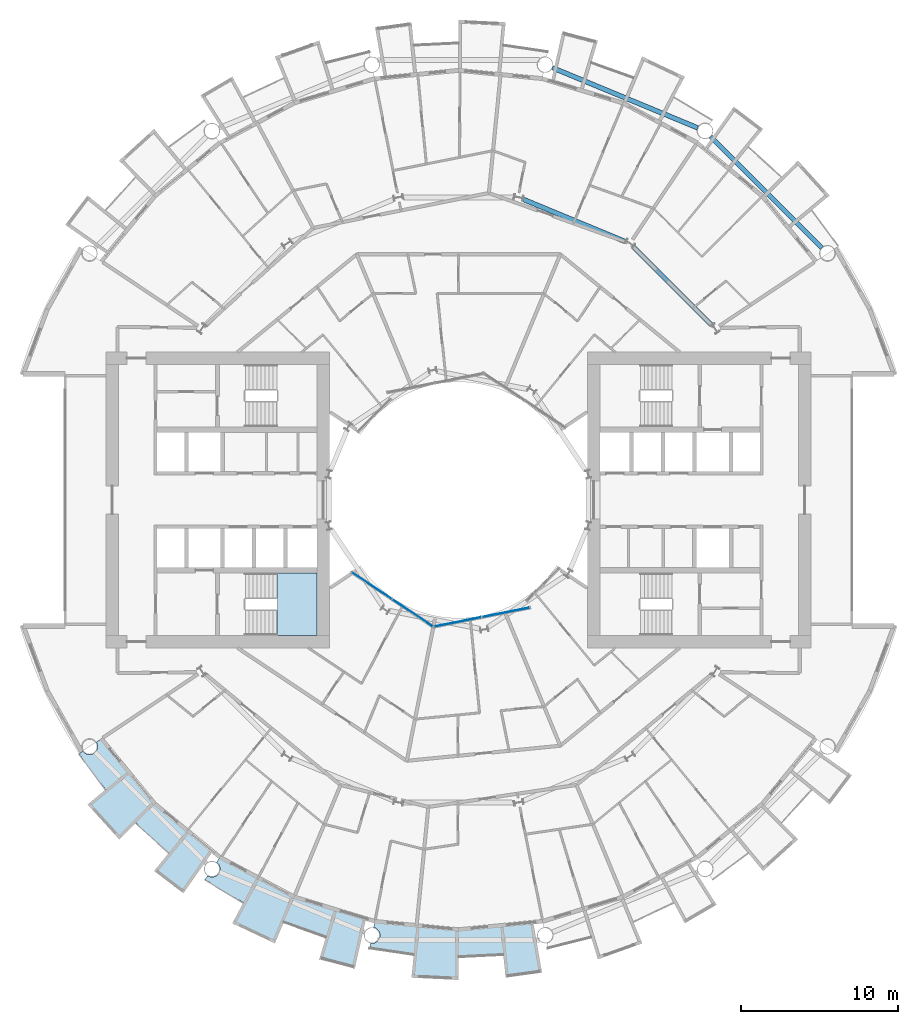
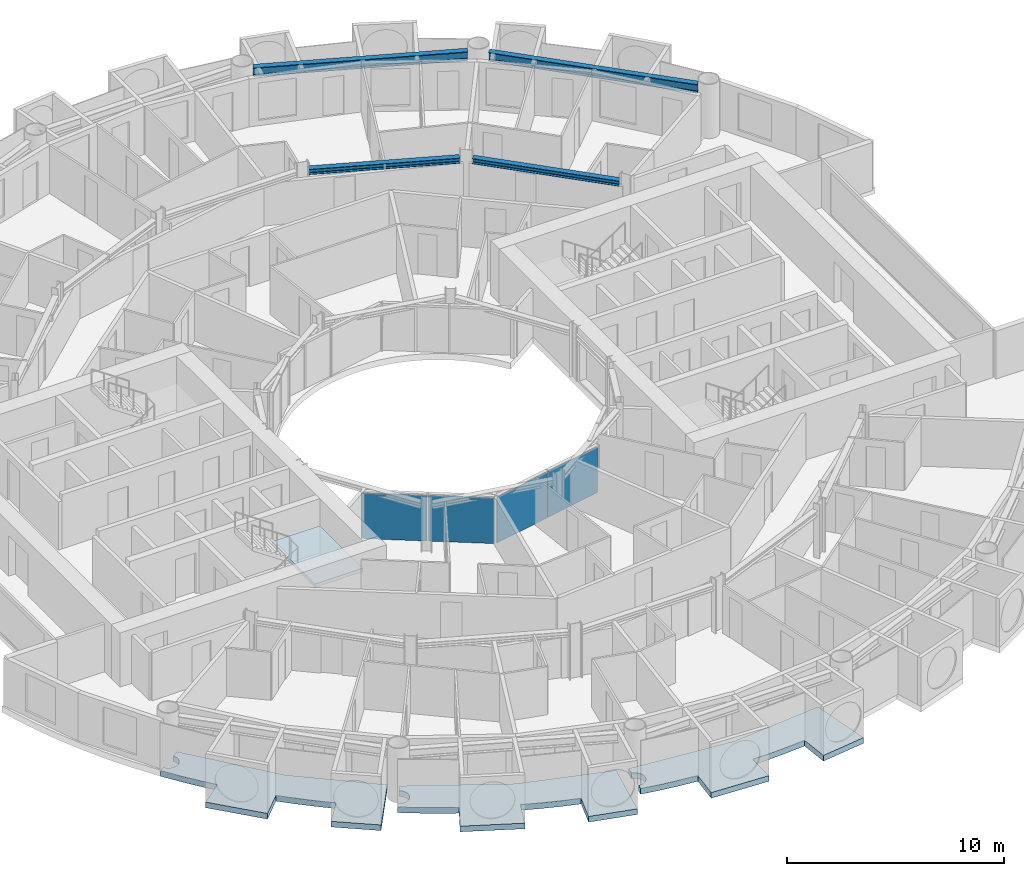
# One storey, part 9 of 26: 4 beams, 4 plates, 4 slabs, 3 elements without a shape of their own.
"""IFC4 building model written with IfcOpenShell, lengths in metres."""

from ifc_helpers import new_model, si_unit, direction, frame, origin, origin_2d, place, context, subcontext, project, spatial, polyline, rectangle, i_section, outline, extrude, material, layer, layer_set, material_profile, profile_set, type_object, element, aggregate, save


model = new_model("IFC4")

# Units and contexts
model_context = context("Model", 3, precision=1e-05, world=origin(), true_north=direction((0.0, 1.0)))
body_context = subcontext(model_context, "Body", "Model", "MODEL_VIEW")
ifc_project = project(units=[si_unit("LENGTHUNIT", "METRE"), si_unit("AREAUNIT", "SQUARE_METRE"), si_unit("VOLUMEUNIT", "CUBIC_METRE"), si_unit("PLANEANGLEUNIT", "RADIAN"), si_unit("MASSUNIT", "GRAM", prefix="KILO")], contexts=[model_context])

# Site, building, storey
site_placement = place(None, origin())
site = spatial("IfcSite", under=ifc_project, at=site_placement, CompositionType="ELEMENT")
building_placement = place(site_placement, origin())
building = spatial("IfcBuilding", under=site, at=building_placement, Name="Maasbend Ring Residences", CompositionType="ELEMENT")
storey_placement = place(building_placement, frame((0.0, 0.0, 35.0)))
storey = spatial("IfcBuildingStorey", under=building, at=storey_placement, Name="L09", CompositionType="ELEMENT", Elevation=35.0)

# Beams
ifc_material_1 = material(Name="Steel S355J2", Category="steel")
ifc_material_profile_1 = material_profile(ifc_material_1, i_section(OverallWidth=0.300048828125, OverallDepth=0.300048828125, WebThickness=0.010986328125, FlangeThickness=0.01904296875, FilletRadius=0.027099609375, at=origin_2d()), Name="HEB 300")
ifc_profile_set_1 = profile_set([ifc_material_profile_1], Name="Steel S355J2")
beam_type_1 = type_object("IfcBeamType", Name="Corridor ring beam HEB 300", PredefinedType="BEAM", material=ifc_profile_set_1)
beam_1_placement = place(storey_placement, frame((16.0732421875, 11.11279296875, 2.550048828125), z_axis=(-0.707106781187, 0.707106781187, 0.0), x_axis=(-0.707106781187, -0.707106781187, 0.0)))
element("IfcBeam", 1, at=beam_1_placement, inside=storey, type_object=beam_type_1, Name="Corridor ring beam", PredefinedType="BEAM", context=body_context, shape_type="SweptSolid", body=[
    extrude(i_section(OverallWidth=0.300048828125, OverallDepth=0.300048828125, WebThickness=0.010986328125, FlangeThickness=0.01904296875, FilletRadius=0.027099609375, at=origin_2d()), origin(), (0.0, 0.0, 1.0), 7.01513671875),
])
beam_2_placement = place(storey_placement, frame((10.59716796875, 16.417724609375, 2.550048828125), z_axis=(-0.923886196809, 0.38266734293, 0.0), x_axis=(-0.38266734293, -0.923886196809, 0.0)))
element("IfcBeam", 2, at=beam_2_placement, inside=storey, type_object=beam_type_1, Name="Corridor ring beam", PredefinedType="BEAM", context=body_context, shape_type="SweptSolid", body=[
    extrude(i_section(OverallWidth=0.300048828125, OverallDepth=0.300048828125, WebThickness=0.010986328125, FlangeThickness=0.01904296875, FilletRadius=0.027099609375, at=origin_2d()), origin(), (0.0, 0.0, 1.0), 7.015380859375),
])
ifc_material_2 = material(Name="Steel S355J2", Category="steel")
ifc_material_profile_2 = material_profile(ifc_material_2, i_section(OverallWidth=0.300048828125, OverallDepth=0.5, WebThickness=0.014404296875, FlangeThickness=0.028076171875, FilletRadius=0.027099609375, at=origin_2d()), Name="HEB 500")
ifc_profile_set_2 = profile_set([ifc_material_profile_2], Name="Steel S355J2")
beam_type_2 = type_object("IfcBeamType", Name="Spandrel ring beam HEB 500", PredefinedType="SPANDREL", material=ifc_profile_set_2)
beam_3_placement = place(storey_placement, frame((23.088134765625, 16.0263671875, 2.449951171875), z_axis=(-0.707106781187, 0.707106781187, 0.0), x_axis=(-0.707106781187, -0.707106781187, 0.0)))
element("IfcBeam", 3, at=beam_3_placement, inside=storey, type_object=beam_type_2, Name="Spandrel ring beam", PredefinedType="SPANDREL", context=body_context, shape_type="SweptSolid", body=[
    extrude(i_section(OverallWidth=0.300048828125, OverallDepth=0.5, WebThickness=0.014404296875, FlangeThickness=0.028076171875, FilletRadius=0.027099609375, at=origin_2d()), origin(), (0.0, 0.0, 1.0), 9.98681640625),
])
beam_4_placement = place(storey_placement, frame((15.19775390625, 23.641845703125, 2.449951171875), z_axis=(-0.923886337442, 0.382667003395, 0.0), x_axis=(-0.382667003395, -0.923886337442, 0.0)))
element("IfcBeam", 4, at=beam_4_placement, inside=storey, type_object=beam_type_2, Name="Spandrel ring beam", PredefinedType="SPANDREL", context=body_context, shape_type="SweptSolid", body=[
    extrude(i_section(OverallWidth=0.300048828125, OverallDepth=0.5, WebThickness=0.014404296875, FlangeThickness=0.028076171875, FilletRadius=0.027099609375, at=origin_2d()), origin(), (0.0, 0.0, 1.0), 9.9873046875),
])

# Stair, slab
ifc_material_3 = material(Name="Concrete C40/50", Category="concrete")
stair_type = type_object("IfcStairType", Name="CORE STAIR 18 RISERS", PredefinedType="HALF_TURN_STAIR", material=ifc_material_3)
stair_placement = place(storey_placement, origin())
stair = element("IfcStair", 5, at=stair_placement, inside=storey, type_object=stair_type, Name="L09 Exit stair ST-W1", PredefinedType="HALF_TURN_STAIR")
ifc_material_4 = material(Name="Concrete C40/50", Category="concrete")
ifc_layer_1 = layer(ifc_material_4, 0.199951171875)
ifc_layer_set_1 = layer_set([ifc_layer_1], Name="Concrete C40/50")
slab_type_1 = type_object("IfcSlabType", Name="CORE STAIR LANDING 200", PredefinedType="LANDING", material=ifc_layer_set_1)
slab_1_placement = place(storey_placement, frame((0.0, 0.0, 1.324951171875)))
slab_1 = element("IfcSlab", 6, at=slab_1_placement, type_object=slab_type_1, Name="ST-W1 landing 1", PredefinedType="LANDING", context=body_context, shape_type="SweptSolid", body=[
    extrude(outline(polyline([(-11.550048828125, -8.60009765625), (-9.0, -8.60009765625), (-9.0, -4.64990234375), (-11.550048828125, -4.64990234375), (-11.550048828125, -8.60009765625)])), origin(), (0.0, 0.0, 1.0), 0.199951171875),
])
aggregate(stair, [slab_1])

# Curtain wall, plates
ifc_material_5 = material(Name="Aluminium and clear glass", Category="aluminium")
ifc_layer_2 = layer(ifc_material_5, 0.179931640625)
ifc_layer_set_2 = layer_set([ifc_layer_2], Name="CW-W")
curtain_wall_type = type_object("IfcCurtainWallType", Name="CW-W", PredefinedType="NOTDEFINED", material=ifc_layer_set_2)
curtain_wall_1_placement = place(storey_placement, origin())
curtain_wall_1 = element("IfcCurtainWall", 7, at=curtain_wall_1_placement, inside=storey, type_object=curtain_wall_type, Name="Well curtain wall S1", PredefinedType="NOTDEFINED")
ifc_material_6 = material(Name="Glass clear laminated", Category="glass")
ifc_layer_3 = layer(ifc_material_6, 0.031982421875)
ifc_layer_set_3 = layer_set([ifc_layer_3], Name="CWP-W")
plate_type = type_object("IfcPlateType", Name="CWP-W", PredefinedType="CURTAIN_PANEL", material=ifc_layer_set_3)
plate_1_placement = place(storey_placement, frame((-5.51123046875, -5.44580078125, 0.0), z_axis=(0.0, 0.0, 1.0), x_axis=(0.831469612303, -0.55557023302, 0.0)))
plate_1 = element("IfcPlate", 8, at=plate_1_placement, type_object=plate_type, Name="Glass panel well face", PredefinedType="CURTAIN_PANEL", context=body_context, shape_type="SweptSolid", body=[
    extrude(rectangle(XDim=3.053955078125, YDim=0.031982421875, at=origin_2d()), origin(), (0.0, 0.0, 1.0), 2.580078125),
])
plate_2_placement = place(storey_placement, frame((-2.922119140625, -7.17578125, 0.0), z_axis=(0.0, 0.0, 1.0), x_axis=(0.831469612303, -0.55557023302, 0.0)))
plate_2 = element("IfcPlate", 9, at=plate_2_placement, type_object=plate_type, Name="Glass panel well face", PredefinedType="CURTAIN_PANEL", context=body_context, shape_type="SweptSolid", body=[
    extrude(rectangle(XDim=3.053955078125, YDim=0.031982421875, at=origin_2d()), origin(), (0.0, 0.0, 1.0), 2.580078125),
])
aggregate(curtain_wall_1, [plate_1, plate_2])

curtain_wall_2_placement = place(storey_placement, origin())
curtain_wall_2 = element("IfcCurtainWall", 10, at=curtain_wall_2_placement, inside=storey, type_object=curtain_wall_type, Name="Well curtain wall S2", PredefinedType="NOTDEFINED")
plate_3_placement = place(storey_placement, frame((-0.04638671875, -7.747802734375, 0.0), z_axis=(0.0, 0.0, 1.0), x_axis=(0.980785280403, 0.195090322016, 0.0)))
plate_3 = element("IfcPlate", 11, at=plate_3_placement, type_object=plate_type, Name="Glass panel well face", PredefinedType="CURTAIN_PANEL", context=body_context, shape_type="SweptSolid", body=[
    extrude(rectangle(XDim=3.053955078125, YDim=0.031982421875, at=origin_2d()), origin(), (0.0, 0.0, 1.0), 2.580078125),
])
plate_4_placement = place(storey_placement, frame((3.0078125, -7.140380859375, 0.0), z_axis=(0.0, 0.0, 1.0), x_axis=(0.980785280403, 0.195090322016, 0.0)))
plate_4 = element("IfcPlate", 12, at=plate_4_placement, type_object=plate_type, Name="Glass panel well face", PredefinedType="CURTAIN_PANEL", context=body_context, shape_type="SweptSolid", body=[
    extrude(rectangle(XDim=3.053955078125, YDim=0.031982421875, at=origin_2d()), origin(), (0.0, 0.0, 1.0), 2.580078125),
])
aggregate(curtain_wall_2, [plate_3, plate_4])

# Slabs
ifc_material_7 = material(Name="Concrete C40/50", Category="concrete")
ifc_layer_4 = layer(ifc_material_7, 0.199951171875)
ifc_layer_set_4 = layer_set([ifc_layer_4], Name="Concrete C40/50")
slab_type_2 = type_object("IfcSlabType", Name="SL-LOGGIA", PredefinedType="FLOOR", material=ifc_layer_set_4)
slab_2_placement = place(storey_placement, frame((0.0, 0.0, -0.35009765625)))
element("IfcSlab", 13, at=slab_2_placement, inside=storey, type_object=slab_type_2, Name="Loggia floor 1", PredefinedType="FLOOR", context=body_context, shape_type="SweptSolid", body=[
    extrude(outline(polyline([(-15.9169921875, -23.888916015625), (-15.906982421875, -23.89501953125), (-15.89599609375, -23.90087890625), (-15.884033203125, -23.906982421875), (-15.873046875, -23.912109375), (-15.862060546875, -23.9169921875), (-15.85009765625, -23.9208984375), (-15.837890625, -23.926025390625), (-15.825927734375, -23.929931640625), (-15.81494140625, -23.93408203125), (-15.802978515625, -23.93701171875), (-15.791015625, -23.93994140625), (-15.778076171875, -23.943115234375), (-15.76611328125, -23.946044921875), (-15.75390625, -23.947998046875), (-15.741943359375, -23.949951171875), (-15.72900390625, -23.951904296875), (-15.717041015625, -23.952880859375), (-15.7041015625, -23.9541015625), (-15.69189453125, -23.955078125), (-15.679931640625, -23.955078125), (-15.6669921875, -23.955078125), (-15.655029296875, -23.955078125), (-15.64208984375, -23.955078125), (-15.6298828125, -23.9541015625), (-15.616943359375, -23.952880859375), (-15.60498046875, -23.951904296875), (-15.593017578125, -23.949951171875), (-15.580078125, -23.947998046875), (-15.568115234375, -23.946044921875), (-15.555908203125, -23.943115234375), (-15.5439453125, -23.93994140625), (-15.531982421875, -23.93701171875), (-15.52001953125, -23.93408203125), (-15.508056640625, -23.929931640625), (-15.49609375, -23.926025390625), (-15.48388671875, -23.9208984375), (-15.472900390625, -23.9169921875), (-15.4609375, -23.912109375), (-15.449951171875, -23.906982421875), (-15.43896484375, -23.90087890625), (-15.427978515625, -23.89501953125), (-15.4169921875, -23.888916015625), (-15.406005859375, -23.883056640625), (-15.39501953125, -23.876953125), (-15.385009765625, -23.8701171875), (-15.375, -23.863037109375), (-15.364013671875, -23.85498046875), (-15.35498046875, -23.847900390625), (-15.344970703125, -23.840087890625), (-15.3349609375, -23.83203125), (-15.325927734375, -23.823974609375), (-15.31689453125, -23.81494140625), (-15.30810546875, -23.806884765625), (-15.299072265625, -23.798095703125), (-15.291015625, -23.7890625), (-15.281982421875, -23.779052734375), (-15.27392578125, -23.77001953125), (-15.26708984375, -23.760009765625), (-15.259033203125, -23.75), (-15.251953125, -23.739990234375), (-15.2451171875, -23.72998046875), (-15.238037109375, -23.718994140625), (-15.23095703125, -23.708984375), (-15.22509765625, -23.697998046875), (-15.218994140625, -23.68701171875), (-15.212890625, -23.676025390625), (-15.2080078125, -23.6650390625), (-15.202880859375, -23.653076171875), (-15.197998046875, -23.64208984375), (-15.193115234375, -23.6298828125), (-15.18896484375, -23.618896484375), (-15.18505859375, -23.60693359375), (-15.180908203125, -23.594970703125), (-15.177978515625, -23.5830078125), (-15.174072265625, -23.571044921875), (-15.1708984375, -23.55908203125), (-15.1689453125, -23.547119140625), (-15.1669921875, -23.533935546875), (-15.1650390625, -23.52197265625), (-15.1630859375, -23.510009765625), (-15.162109375, -23.4970703125), (-15.159912109375, -23.485107421875), (-15.159912109375, -23.471923828125), (-15.158935546875, -23.4599609375), (-15.158935546875, -23.447021484375), (-15.158935546875, -23.43505859375), (-15.159912109375, -23.422119140625), (-15.159912109375, -23.409912109375), (-15.162109375, -23.39794921875), (-15.1630859375, -23.385009765625), (-15.1650390625, -23.373046875), (-15.1669921875, -23.361083984375), (-15.1689453125, -23.347900390625), (-15.1708984375, -23.3359375), (-15.174072265625, -23.323974609375), (-15.177978515625, -23.31201171875), (-15.180908203125, -23.300048828125), (-15.18505859375, -23.2880859375), (-15.18896484375, -23.27587890625), (-15.193115234375, -23.264892578125), (-15.197998046875, -23.2529296875), (-15.202880859375, -23.241943359375), (-15.2080078125, -23.22998046875), (-15.212890625, -23.218994140625), (-15.218994140625, -23.2080078125), (-15.22509765625, -23.197021484375), (-15.23095703125, -23.18603515625), (-15.238037109375, -23.176025390625), (-15.2451171875, -23.1650390625), (-15.251953125, -23.155029296875), (-15.259033203125, -23.14501953125), (-15.26708984375, -23.135009765625), (-15.27392578125, -23.125), (-15.281982421875, -23.115966796875), (-15.291015625, -23.10595703125), (-15.299072265625, -23.096923828125), (-15.30810546875, -23.087890625), (-15.31689453125, -23.0791015625), (-15.325927734375, -23.071044921875), (-15.3349609375, -23.06298828125), (-15.344970703125, -23.054931640625), (-15.35498046875, -23.047119140625), (-15.364013671875, -23.0390625), (-15.375, -23.031982421875), (-15.385009765625, -23.02490234375), (-15.1669921875, -22.698974609375), (-15.1669921875, -22.698974609375), (-15.1669921875, -22.698974609375), (-12.806884765625, -23.9609375), (-10.447021484375, -25.221923828125), (-10.447021484375, -25.221923828125), (-10.447021484375, -25.221923828125), (-7.886962890625, -25.9990234375), (-5.89111328125, -26.60400390625), (-5.89111328125, -26.60400390625), (-5.89111328125, -26.60400390625), (-6.593994140625, -29.779052734375), (-6.593994140625, -29.779052734375), (-6.593994140625, -29.779052734375), (-8.85400390625, -29.18701171875), (-8.85400390625, -29.18701171875), (-8.85400390625, -29.18701171875), (-8.41796875, -27.751953125), (-8.41796875, -27.751953125), (-8.41796875, -27.751953125), (-8.41796875, -27.751953125), (-8.41796875, -27.751953125), (-8.41796875, -27.751953125), (-8.41796875, -27.7509765625), (-8.41796875, -27.7509765625), (-8.41796875, -27.7509765625), (-8.41796875, -27.7509765625), (-8.41796875, -27.7509765625), (-8.4189453125, -27.7509765625), (-8.4189453125, -27.7509765625), (-8.4189453125, -27.7509765625), (-8.4189453125, -27.7509765625), (-8.4189453125, -27.7509765625), (-8.4189453125, -27.7509765625), (-9.322021484375, -27.4609375), (-9.322021484375, -27.4609375), (-10.215087890625, -27.14111328125), (-10.215087890625, -27.14111328125), (-11.096923828125, -26.79296875), (-11.096923828125, -26.79296875), (-11.096923828125, -26.79296875), (-11.097900390625, -26.79296875), (-11.097900390625, -26.79296875), (-11.097900390625, -26.79296875), (-11.097900390625, -26.79296875), (-11.097900390625, -26.79296875), (-11.097900390625, -26.79296875), (-11.097900390625, -26.79296875), (-11.097900390625, -26.79296875), (-11.097900390625, -26.79296875), (-11.097900390625, -26.79296875), (-11.097900390625, -26.79296875), (-11.097900390625, -26.79296875), (-11.097900390625, -26.79296875), (-11.097900390625, -26.79296875), (-11.672119140625, -28.177978515625), (-11.672119140625, -28.177978515625), (-11.672119140625, -28.177978515625), (-14.3779296875, -26.89892578125), (-14.3779296875, -26.89892578125), (-14.3779296875, -26.89892578125), (-13.6708984375, -25.575927734375), (-13.6708984375, -25.575927734375), (-13.6708984375, -25.575927734375), (-13.6708984375, -25.575927734375), (-13.6708984375, -25.575927734375), (-13.6708984375, -25.575927734375), (-13.6708984375, -25.575927734375), (-13.6708984375, -25.575927734375), (-13.6708984375, -25.575927734375), (-13.6708984375, -25.575927734375), (-13.6708984375, -25.575927734375), (-13.6708984375, -25.575927734375), (-13.6708984375, -25.575927734375), (-13.6708984375, -25.575927734375), (-13.6708984375, -25.575927734375), (-13.6708984375, -25.575927734375), (-13.6708984375, -25.574951171875), (-14.5, -25.114990234375), (-14.5, -25.114990234375), (-15.31396484375, -24.626953125), (-15.31396484375, -24.626953125), (-16.112060546875, -24.113037109375), (-16.112060546875, -24.113037109375), (-16.112060546875, -24.113037109375), (-15.948974609375, -23.8701171875), (-15.93896484375, -23.876953125), (-15.927978515625, -23.883056640625), (-15.9169921875, -23.888916015625)])), origin(), (0.0, 0.0, 1.0), 0.320068359375),
])
slab_3_placement = place(storey_placement, frame((0.0, 0.0, -0.35009765625)))
element("IfcSlab", 14, at=slab_3_placement, inside=storey, type_object=slab_type_2, Name="Loggia floor 3", PredefinedType="FLOOR", context=body_context, shape_type="SweptSolid", body=[
    extrude(outline(polyline([(-2.6630859375, -27.0380859375), (0.0, -27.300048828125), (0.0, -27.300048828125), (0.0, -27.300048828125), (2.6630859375, -27.0380859375), (4.739013671875, -26.8330078125), (4.739013671875, -26.8330078125), (4.739013671875, -26.8330078125), (5.303955078125, -30.034912109375), (5.303955078125, -30.034912109375), (5.303955078125, -30.034912109375), (2.989990234375, -30.35302734375), (2.989990234375, -30.35302734375), (2.989990234375, -30.35302734375), (2.843017578125, -28.861083984375), (2.843017578125, -28.861083984375), (2.843017578125, -28.861083984375), (2.843017578125, -28.861083984375), (2.842041015625, -28.861083984375), (2.842041015625, -28.861083984375), (2.842041015625, -28.861083984375), (2.842041015625, -28.861083984375), (2.842041015625, -28.861083984375), (2.842041015625, -28.860107421875), (2.842041015625, -28.860107421875), (2.842041015625, -28.860107421875), (2.842041015625, -28.860107421875), (2.842041015625, -28.860107421875), (2.842041015625, -28.860107421875), (2.842041015625, -28.860107421875), (2.842041015625, -28.860107421875), (1.89697265625, -28.93798828125), (1.89697265625, -28.93798828125), (0.948974609375, -28.98388671875), (0.948974609375, -28.98388671875), (0.0, -29.0), (0.0, -29.0), (0.0, -29.0), (0.0, -29.0), (0.0, -29.0), (0.0, -29.0), (0.0, -29.0), (0.0, -29.0), (0.0, -29.0), (0.0, -29.0), (0.0, -29.0), (0.0, -29.0), (0.0, -29.0), (0.0, -29.0), (0.0, -29.0), (0.0, -29.0), (0.0, -29.0), (0.0, -30.5), (0.0, -30.5), (0.0, -30.5), (-2.989990234375, -30.35302734375), (-2.989990234375, -30.35302734375), (-2.989990234375, -30.35302734375), (-2.843017578125, -28.861083984375), (-2.843017578125, -28.861083984375), (-2.843017578125, -28.861083984375), (-2.843017578125, -28.861083984375), (-2.843017578125, -28.861083984375), (-2.843017578125, -28.861083984375), (-2.843017578125, -28.861083984375), (-2.843017578125, -28.861083984375), (-2.843017578125, -28.860107421875), (-2.843017578125, -28.860107421875), (-2.843017578125, -28.860107421875), (-2.843017578125, -28.860107421875), (-2.843017578125, -28.860107421875), (-2.843017578125, -28.860107421875), (-2.843017578125, -28.860107421875), (-2.843017578125, -28.860107421875), (-2.843017578125, -28.860107421875), (-3.784912109375, -28.751953125), (-3.784912109375, -28.751953125), (-4.72412109375, -28.613037109375), (-4.72412109375, -28.613037109375), (-5.657958984375, -28.443115234375), (-5.657958984375, -28.443115234375), (-5.657958984375, -28.443115234375), (-5.60107421875, -28.156005859375), (-5.60107421875, -28.156005859375), (-5.587890625, -28.158935546875), (-5.575927734375, -28.160888671875), (-5.56396484375, -28.162109375), (-5.551025390625, -28.1640625), (-5.5390625, -28.1650390625), (-5.52587890625, -28.1650390625), (-5.513916015625, -28.166015625), (-5.501953125, -28.166015625), (-5.489013671875, -28.166015625), (-5.47705078125, -28.1650390625), (-5.464111328125, -28.1650390625), (-5.451904296875, -28.1640625), (-5.43896484375, -28.162109375), (-5.427001953125, -28.160888671875), (-5.4150390625, -28.158935546875), (-5.402099609375, -28.156005859375), (-5.389892578125, -28.154052734375), (-5.3779296875, -28.15087890625), (-5.365966796875, -28.14794921875), (-5.35400390625, -28.14404296875), (-5.342041015625, -28.139892578125), (-5.330078125, -28.135986328125), (-5.319091796875, -28.132080078125), (-5.306884765625, -28.126953125), (-5.2958984375, -28.123046875), (-5.283935546875, -28.116943359375), (-5.27294921875, -28.112060546875), (-5.261962890625, -28.10595703125), (-5.2509765625, -28.10009765625), (-5.239990234375, -28.093994140625), (-5.22998046875, -28.0869140625), (-5.218994140625, -28.080078125), (-5.208984375, -28.072998046875), (-5.198974609375, -28.06591796875), (-5.18896484375, -28.05908203125), (-5.178955078125, -28.051025390625), (-5.169921875, -28.04296875), (-5.159912109375, -28.034912109375), (-5.15087890625, -28.02587890625), (-5.14208984375, -28.01708984375), (-5.134033203125, -28.008056640625), (-5.125, -27.9990234375), (-5.116943359375, -27.989990234375), (-5.10888671875, -27.97998046875), (-5.10107421875, -27.970947265625), (-5.093017578125, -27.9609375), (-5.0859375, -27.950927734375), (-5.0791015625, -27.93994140625), (-5.072021484375, -27.929931640625), (-5.06591796875, -27.9189453125), (-5.05908203125, -27.907958984375), (-5.052978515625, -27.89794921875), (-5.048095703125, -27.886962890625), (-5.0419921875, -27.875), (-5.037109375, -27.864013671875), (-5.031982421875, -27.85302734375), (-5.028076171875, -27.841064453125), (-5.02294921875, -27.8291015625), (-5.01904296875, -27.81689453125), (-5.014892578125, -27.805908203125), (-5.011962890625, -27.7939453125), (-5.009033203125, -27.781982421875), (-5.006103515625, -27.76904296875), (-5.0029296875, -27.757080078125), (-5.0009765625, -27.7451171875), (-4.9990234375, -27.73291015625), (-4.9970703125, -27.719970703125), (-4.99609375, -27.7080078125), (-4.9951171875, -27.695068359375), (-4.993896484375, -27.68310546875), (-4.993896484375, -27.6708984375), (-4.993896484375, -27.657958984375), (-4.993896484375, -27.64599609375), (-4.993896484375, -27.633056640625), (-4.9951171875, -27.62109375), (-4.99609375, -27.60791015625), (-4.9970703125, -27.595947265625), (-4.9990234375, -27.583984375), (-5.0009765625, -27.571044921875), (-5.0029296875, -27.55908203125), (-5.006103515625, -27.547119140625), (-5.009033203125, -27.534912109375), (-5.011962890625, -27.52294921875), (-5.014892578125, -27.510986328125), (-5.01904296875, -27.4990234375), (-5.02294921875, -27.487060546875), (-5.028076171875, -27.47509765625), (-5.031982421875, -27.464111328125), (-5.037109375, -27.451904296875), (-5.0419921875, -27.44091796875), (-5.048095703125, -27.429931640625), (-5.052978515625, -27.4189453125), (-5.05908203125, -27.407958984375), (-5.06591796875, -27.39697265625), (-5.072021484375, -27.385986328125), (-5.0791015625, -27.3759765625), (-5.0859375, -27.365966796875), (-5.093017578125, -27.35498046875), (-5.10107421875, -27.345947265625), (-5.10888671875, -27.3359375), (-5.116943359375, -27.325927734375), (-5.125, -27.31689453125), (-5.134033203125, -27.30810546875), (-5.14208984375, -27.299072265625), (-5.15087890625, -27.2900390625), (-5.159912109375, -27.281982421875), (-5.169921875, -27.27294921875), (-5.178955078125, -27.264892578125), (-5.18896484375, -27.258056640625), (-5.198974609375, -27.25), (-5.208984375, -27.242919921875), (-5.218994140625, -27.236083984375), (-5.22998046875, -27.22900390625), (-5.239990234375, -27.221923828125), (-5.2509765625, -27.216064453125), (-5.261962890625, -27.2099609375), (-5.27294921875, -27.2041015625), (-5.283935546875, -27.198974609375), (-5.2958984375, -27.194091796875), (-5.306884765625, -27.18896484375), (-5.319091796875, -27.18408203125), (-5.330078125, -27.179931640625), (-5.342041015625, -27.176025390625), (-5.35400390625, -27.172119140625), (-5.365966796875, -27.1689453125), (-5.3779296875, -27.1650390625), (-5.389892578125, -27.162109375), (-5.402099609375, -27.159912109375), (-5.402099609375, -27.159912109375), (-5.325927734375, -26.77490234375), (-5.325927734375, -26.77490234375), (-5.325927734375, -26.77490234375), (-2.6630859375, -27.0380859375)])), origin(), (0.0, 0.0, 1.0), 0.320068359375),
])
slab_4_placement = place(storey_placement, frame((0.0, 0.0, -0.35009765625)))
element("IfcSlab", 15, at=slab_4_placement, inside=storey, type_object=slab_type_2, Name="Loggia floor 4", PredefinedType="FLOOR", context=body_context, shape_type="SweptSolid", body=[
    extrude(outline(polyline([(-23.85498046875, -15.969970703125), (-23.847900390625, -15.97998046875), (-23.840087890625, -15.989013671875), (-23.83203125, -15.9990234375), (-23.823974609375, -16.008056640625), (-23.81494140625, -16.01708984375), (-23.806884765625, -16.02587890625), (-23.798095703125, -16.034912109375), (-23.7890625, -16.0439453125), (-23.779052734375, -16.052001953125), (-23.77001953125, -16.06005859375), (-23.760009765625, -16.068115234375), (-23.75, -16.074951171875), (-23.739990234375, -16.08203125), (-23.72998046875, -16.089111328125), (-23.718994140625, -16.095947265625), (-23.708984375, -16.10302734375), (-23.697998046875, -16.10888671875), (-23.68701171875, -16.114990234375), (-23.676025390625, -16.12109375), (-23.6650390625, -16.1259765625), (-23.653076171875, -16.132080078125), (-23.64208984375, -16.135986328125), (-23.6298828125, -16.14111328125), (-23.618896484375, -16.14501953125), (-23.60693359375, -16.14892578125), (-23.594970703125, -16.153076171875), (-23.5830078125, -16.156982421875), (-23.571044921875, -16.159912109375), (-23.55908203125, -16.1630859375), (-23.547119140625, -16.1650390625), (-23.533935546875, -16.16796875), (-23.52197265625, -16.169921875), (-23.510009765625, -16.1708984375), (-23.4970703125, -16.173095703125), (-23.485107421875, -16.174072265625), (-23.471923828125, -16.174072265625), (-23.4599609375, -16.175048828125), (-23.447021484375, -16.175048828125), (-23.43505859375, -16.175048828125), (-23.422119140625, -16.174072265625), (-23.409912109375, -16.174072265625), (-23.39794921875, -16.173095703125), (-23.385009765625, -16.1708984375), (-23.373046875, -16.169921875), (-23.361083984375, -16.16796875), (-23.347900390625, -16.1650390625), (-23.3359375, -16.1630859375), (-23.323974609375, -16.159912109375), (-23.31201171875, -16.156982421875), (-23.300048828125, -16.153076171875), (-23.2880859375, -16.14892578125), (-23.27587890625, -16.14501953125), (-23.264892578125, -16.14111328125), (-23.2529296875, -16.135986328125), (-23.241943359375, -16.132080078125), (-23.22998046875, -16.1259765625), (-23.218994140625, -16.12109375), (-23.2080078125, -16.114990234375), (-23.197021484375, -16.10888671875), (-23.18603515625, -16.10302734375), (-23.176025390625, -16.095947265625), (-23.1650390625, -16.089111328125), (-23.155029296875, -16.08203125), (-23.14501953125, -16.074951171875), (-23.135009765625, -16.068115234375), (-23.125, -16.06005859375), (-23.115966796875, -16.052001953125), (-23.10595703125, -16.0439453125), (-23.096923828125, -16.034912109375), (-23.087890625, -16.02587890625), (-23.0791015625, -16.01708984375), (-23.071044921875, -16.008056640625), (-23.06298828125, -15.9990234375), (-23.054931640625, -15.989013671875), (-23.047119140625, -15.97998046875), (-23.0390625, -15.969970703125), (-23.031982421875, -15.9599609375), (-23.02490234375, -15.948974609375), (-23.01806640625, -15.93896484375), (-23.011962890625, -15.927978515625), (-23.0048828125, -15.9169921875), (-22.9990234375, -15.906982421875), (-22.993896484375, -15.89599609375), (-22.988037109375, -15.884033203125), (-22.98291015625, -15.873046875), (-22.97802734375, -15.862060546875), (-22.972900390625, -15.85009765625), (-22.968994140625, -15.837890625), (-22.965087890625, -15.825927734375), (-22.9609375, -15.81494140625), (-22.9580078125, -15.802978515625), (-22.955078125, -15.791015625), (-22.951904296875, -15.778076171875), (-22.948974609375, -15.76611328125), (-22.947021484375, -15.75390625), (-22.945068359375, -15.741943359375), (-22.943115234375, -15.72900390625), (-22.94189453125, -15.717041015625), (-22.94091796875, -15.7041015625), (-22.93994140625, -15.69189453125), (-22.93994140625, -15.679931640625), (-22.93896484375, -15.6669921875), (-22.93994140625, -15.655029296875), (-22.93994140625, -15.64208984375), (-22.94091796875, -15.6298828125), (-22.94189453125, -15.616943359375), (-22.943115234375, -15.60498046875), (-22.945068359375, -15.593017578125), (-22.947021484375, -15.580078125), (-22.948974609375, -15.568115234375), (-22.951904296875, -15.555908203125), (-22.955078125, -15.5439453125), (-22.9580078125, -15.531982421875), (-22.9609375, -15.52001953125), (-22.965087890625, -15.508056640625), (-22.968994140625, -15.49609375), (-22.972900390625, -15.48388671875), (-22.97802734375, -15.472900390625), (-22.98291015625, -15.4609375), (-22.988037109375, -15.449951171875), (-22.993896484375, -15.43896484375), (-22.9990234375, -15.427978515625), (-23.0048828125, -15.4169921875), (-23.011962890625, -15.406005859375), (-23.01806640625, -15.39501953125), (-23.02490234375, -15.385009765625), (-23.02490234375, -15.385009765625), (-22.698974609375, -15.1669921875), (-22.698974609375, -15.1669921875), (-22.698974609375, -15.1669921875), (-21.001953125, -17.236083984375), (-19.303955078125, -19.303955078125), (-19.303955078125, -19.303955078125), (-19.303955078125, -19.303955078125), (-17.236083984375, -21.001953125), (-15.623046875, -22.324951171875), (-15.623046875, -22.324951171875), (-15.623046875, -22.324951171875), (-17.488037109375, -24.989013671875), (-17.488037109375, -24.989013671875), (-17.488037109375, -24.989013671875), (-19.34912109375, -23.576904296875), (-19.34912109375, -23.576904296875), (-19.34912109375, -23.576904296875), (-18.39794921875, -22.41796875), (-18.39794921875, -22.41796875), (-18.39794921875, -22.41796875), (-18.39794921875, -22.41796875), (-18.39794921875, -22.41796875), (-18.39794921875, -22.4169921875), (-18.39794921875, -22.4169921875), (-18.39794921875, -22.4169921875), (-18.39794921875, -22.4169921875), (-18.39794921875, -22.4169921875), (-18.39794921875, -22.4169921875), (-18.39794921875, -22.4169921875), (-18.39794921875, -22.4169921875), (-18.39794921875, -22.4169921875), (-18.39794921875, -22.4169921875), (-18.39794921875, -22.4169921875), (-18.39794921875, -22.4169921875), (-19.12109375, -21.802978515625), (-19.12109375, -21.802978515625), (-19.823974609375, -21.166015625), (-19.823974609375, -21.166015625), (-20.506103515625, -20.506103515625), (-20.506103515625, -20.506103515625), (-20.506103515625, -20.506103515625), (-20.506103515625, -20.506103515625), (-20.506103515625, -20.506103515625), (-20.506103515625, -20.506103515625), (-20.506103515625, -20.506103515625), (-20.506103515625, -20.506103515625), (-20.506103515625, -20.506103515625), (-20.506103515625, -20.506103515625), (-20.506103515625, -20.506103515625), (-20.506103515625, -20.506103515625), (-20.506103515625, -20.506103515625), (-20.506103515625, -20.506103515625), (-20.506103515625, -20.506103515625), (-20.506103515625, -20.506103515625), (-20.506103515625, -20.506103515625), (-21.56689453125, -21.56689453125), (-21.56689453125, -21.56689453125), (-21.56689453125, -21.56689453125), (-23.576904296875, -19.34912109375), (-23.576904296875, -19.34912109375), (-23.576904296875, -19.34912109375), (-22.41796875, -18.39794921875), (-22.41796875, -18.39794921875), (-22.41796875, -18.39794921875), (-22.41796875, -18.39794921875), (-22.41796875, -18.39794921875), (-22.41796875, -18.39794921875), (-22.41796875, -18.39697265625), (-22.41796875, -18.39697265625), (-22.41796875, -18.39697265625), (-22.41796875, -18.39697265625), (-22.41796875, -18.39697265625), (-22.41796875, -18.39697265625), (-22.41796875, -18.39697265625), (-22.41796875, -18.39697265625), (-22.41796875, -18.39697265625), (-22.41796875, -18.39697265625), (-22.41796875, -18.39697265625), (-23.007080078125, -17.654052734375), (-23.007080078125, -17.654052734375), (-23.572998046875, -16.89208984375), (-23.572998046875, -16.89208984375), (-24.113037109375, -16.112060546875), (-24.113037109375, -16.112060546875), (-24.113037109375, -16.112060546875), (-23.8701171875, -15.948974609375), (-23.8701171875, -15.948974609375), (-23.863037109375, -15.9599609375), (-23.85498046875, -15.969970703125)])), origin(), (0.0, 0.0, 1.0), 0.320068359375),
])

save(model, "model.ifc")
